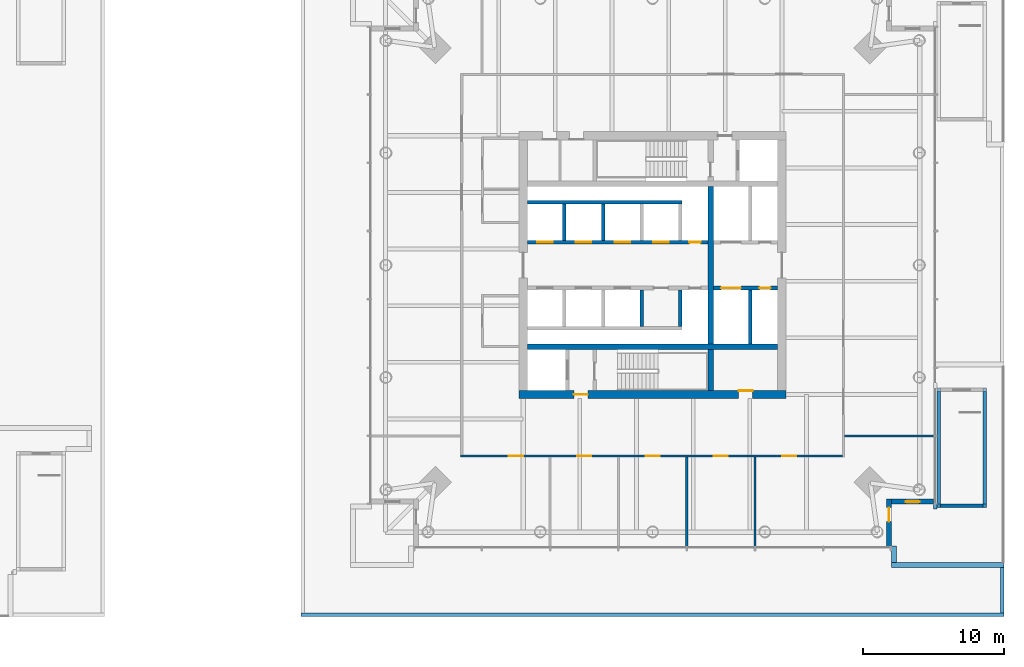
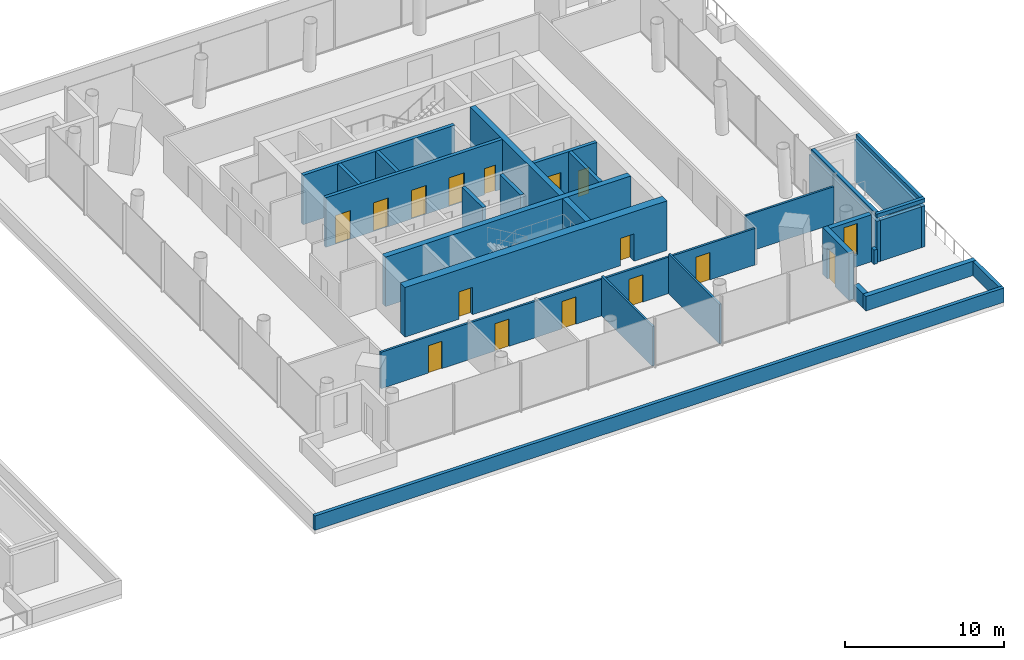
# One storey, part 14 of 19: 29 walls, 15 doors, 1 window, 16 openings.
"""IFC4 building model written with IfcOpenShell, lengths in metres."""

from ifc_helpers import new_model, si_unit, direction, frame, frame_2d, origin, place, context, subcontext, project, spatial, rectangle, extrude, material, layer, layer_set, type_object, element, fill, save


model = new_model("IFC4")

# Units and contexts
model_context = context("Model", 3, precision=1e-05, world=origin(), true_north=direction((0.0, 1.0)))
body_context = subcontext(model_context, "Body", "Model", "MODEL_VIEW")
ifc_project = project(units=[si_unit("LENGTHUNIT", "METRE"), si_unit("AREAUNIT", "SQUARE_METRE"), si_unit("VOLUMEUNIT", "CUBIC_METRE"), si_unit("PLANEANGLEUNIT", "RADIAN"), si_unit("MASSUNIT", "GRAM", prefix="KILO")], contexts=[model_context])

# Site, building, storey
site_placement = place(None, origin())
site = spatial("IfcSite", under=ifc_project, at=site_placement, CompositionType="ELEMENT")
building_placement = place(site_placement, origin())
building = spatial("IfcBuilding", under=site, at=building_placement, Name="Ostroluk Exchange", CompositionType="ELEMENT")
storey_placement = place(building_placement, frame((0.0, 0.0, 21.0)))
storey = spatial("IfcBuildingStorey", under=building, at=storey_placement, Name="L04", CompositionType="ELEMENT", Elevation=21.0)

# Walls
ifc_material_1 = material(Name="Concrete C50/60", Category="concrete")
ifc_layer_1 = layer(ifc_material_1, 0.39990234375)
ifc_layer_set_1 = layer_set([ifc_layer_1], Name="Core cross wall 400 C50/60")
wall_type_1 = type_object("IfcWallType", Name="Core cross wall 400 C50/60", PredefinedType="SHEAR", material=ifc_layer_set_1)
wall_1_placement = place(storey_placement, frame((108.10009765625, 40.199951171875, 0.0), z_axis=(0.0, 0.0, 1.0), x_axis=(1.0, 0.0, 0.0)))
element("IfcWall", 1, at=wall_1_placement, inside=storey, type_object=wall_type_1, Name="T2 core wall XS", PredefinedType="SHEAR", context=body_context, shape_type="SweptSolid", body=[
    extrude(rectangle(XDim=17.7998046875, YDim=0.39990234375, at=frame_2d((8.89990234375, 0.0))), origin(), (0.0, 0.0, 1.0), 3.800048828125),
])
wall_2_placement = place(storey_placement, frame((121.1298828125, 37.10009765625, 0.0), z_axis=(0.0, 0.0, 1.0), x_axis=(0.0, 1.0, 0.0)))
element("IfcWall", 2, at=wall_2_placement, inside=storey, type_object=wall_type_1, Name="T2 core wall YE1", PredefinedType="SHEAR", context=body_context, shape_type="SweptSolid", body=[
    extrude(rectangle(XDim=2.89990234375, YDim=0.39990234375, at=frame_2d((1.449951171875, 0.0))), origin(), (0.0, 0.0, 1.0), 3.800048828125),
])
wall_3_placement = place(storey_placement, frame((121.1298828125, 40.39990234375, 0.0), z_axis=(0.0, 0.0, 1.0), x_axis=(0.0, 1.0, 0.0)))
element("IfcWall", 3, at=wall_3_placement, inside=storey, type_object=wall_type_1, Name="T2 core wall YE2", PredefinedType="SHEAR", context=body_context, shape_type="SweptSolid", body=[
    extrude(rectangle(XDim=11.2001953125, YDim=0.39990234375, at=frame_2d((5.60009765625, 0.0))), origin(), (0.0, 0.0, 1.0), 3.800048828125),
])
ifc_material_2 = material(Name="Concrete C40/50", Category="concrete")
ifc_layer_2 = layer(ifc_material_2, 0.25)
ifc_layer_set_2 = layer_set([ifc_layer_2], Name="Core shaft wall 250")
wall_type_2 = type_object("IfcWallType", Name="Core shaft wall 250", PredefinedType="SHEAR", material=ifc_layer_set_2)
for number, where, z_axis, x_axis, name in (
    (4, (110.72509765625, 47.75, 0.0), (0.0, 0.0, 1.0), (0.0, 1.0, 0.0), "Lift shaft wall"),
    (5, (113.47509765625, 47.75, 0.0), (0.0, 0.0, 1.0), (0.0, 1.0, 0.0), "Lift shaft wall"),
):
    element("IfcWall", number, at=place(storey_placement, frame(where, z_axis=z_axis, x_axis=x_axis)), inside=storey, type_object=wall_type_2, Name=name, PredefinedType="SHEAR", context=body_context, shape_type="SweptSolid", body=[
        extrude(rectangle(XDim=2.60009765625, YDim=0.25, at=frame_2d((1.300048828125, 0.0))), origin(), (0.0, 0.0, 1.0), 3.800048828125),
    ])
wall_4_placement = place(storey_placement, frame((108.10009765625, 50.47509765625, 0.0), z_axis=(0.0, 0.0, 1.0), x_axis=(1.0, 0.0, 0.0)))
element("IfcWall", 6, at=wall_4_placement, inside=storey, type_object=wall_type_2, Name="Lift shaft wall", PredefinedType="SHEAR", context=body_context, shape_type="SweptSolid", body=[
    extrude(rectangle(XDim=11.0, YDim=0.25, at=frame_2d((5.5, 0.0))), origin(), (0.0, 0.0, 1.0), 3.800048828125),
])

# Wall, openings, doors
wall_5_placement = place(storey_placement, frame((108.10009765625, 47.625, 0.0), z_axis=(0.0, 0.0, 1.0), x_axis=(1.0, 0.0, 0.0)))
wall_5 = element("IfcWall", 7, at=wall_5_placement, inside=storey, type_object=wall_type_2, Name="Lift shaft front wall", PredefinedType="SHEAR", context=body_context, shape_type="SweptSolid", body=[
    extrude(rectangle(XDim=12.829833984375, YDim=0.25, at=frame_2d((6.4150390625, 0.0))), origin(), (0.0, 0.0, 1.0), 3.800048828125),
])
opening_1_placement = place(wall_5_placement, frame((0.699951171875, 0.0, 0.0)))
opening_1 = element("IfcOpeningElement", 8, at=opening_1_placement, cuts=wall_5, Name="Opening LD", PredefinedType="OPENING", context=body_context, shape_type="SweptSolid", body=[
    extrude(rectangle(XDim=1.10009765625, YDim=2.199951171875, at=frame_2d((0.550048828125, 1.10009765625))), frame((0.0, 0.135009765625, 0.0), z_axis=(0.0, -1.0, 0.0), x_axis=(1.0, 0.0, 0.0)), (0.0, 0.0, 1.0), 0.27001953125),
])
opening_2_placement = place(wall_5_placement, frame((3.449951171875, 0.0, 0.0)))
opening_2 = element("IfcOpeningElement", 9, at=opening_2_placement, cuts=wall_5, Name="Opening LD", PredefinedType="OPENING", context=body_context, shape_type="SweptSolid", body=[
    extrude(rectangle(XDim=1.10009765625, YDim=2.199951171875, at=frame_2d((0.550048828125, 1.10009765625))), frame((0.0, 0.135009765625, 0.0), z_axis=(0.0, -1.0, 0.0), x_axis=(1.0, 0.0, 0.0)), (0.0, 0.0, 1.0), 0.27001953125),
])
opening_3_placement = place(wall_5_placement, frame((6.199951171875, 0.0, 0.0)))
opening_3 = element("IfcOpeningElement", 10, at=opening_3_placement, cuts=wall_5, Name="Opening LD", PredefinedType="OPENING", context=body_context, shape_type="SweptSolid", body=[
    extrude(rectangle(XDim=1.10009765625, YDim=2.199951171875, at=frame_2d((0.550048828125, 1.10009765625))), frame((0.0, 0.135009765625, 0.0), z_axis=(0.0, -1.0, 0.0), x_axis=(1.0, 0.0, 0.0)), (0.0, 0.0, 1.0), 0.27001953125),
])
opening_4_placement = place(wall_5_placement, frame((8.949951171875, 0.0, 0.0)))
opening_4 = element("IfcOpeningElement", 11, at=opening_4_placement, cuts=wall_5, Name="Opening LD", PredefinedType="OPENING", context=body_context, shape_type="SweptSolid", body=[
    extrude(rectangle(XDim=1.10009765625, YDim=2.199951171875, at=frame_2d((0.550048828125, 1.10009765625))), frame((0.0, 0.135009765625, 0.0), z_axis=(0.0, -1.0, 0.0), x_axis=(1.0, 0.0, 0.0)), (0.0, 0.0, 1.0), 0.27001953125),
])
opening_5_placement = place(wall_5_placement, frame((11.514892578125, 0.0, 0.0)))
opening_5 = element("IfcOpeningElement", 12, at=opening_5_placement, cuts=wall_5, Name="Opening RD60", PredefinedType="OPENING", context=body_context, shape_type="SweptSolid", body=[
    extrude(rectangle(XDim=0.800048828125, YDim=2.0, at=frame_2d((0.39990234375, 1.0))), frame((0.0, 0.135009765625, 0.0), z_axis=(0.0, -1.0, 0.0), x_axis=(1.0, 0.0, 0.0)), (0.0, 0.0, 1.0), 0.27001953125),
])
ifc_material_3 = material(Name="Stainless steel", Category="steel")
door_type_1 = type_object("IfcDoorType", Name="Lift landing door E 60 1100 x 2200", OperationType="DOUBLE_DOOR_SLIDING", PredefinedType="DOOR", material=ifc_material_3)
door_1_placement = place(opening_1_placement, origin())
door_1 = element("IfcDoor", 13, at=door_1_placement, inside=storey, type_object=door_type_1, Name="Lift HL1 landing door", OperationType="DOUBLE_DOOR_SLIDING", OverallHeight=2.199951171875, OverallWidth=1.10009765625, PredefinedType="DOOR", context=body_context, shape_type="SweptSolid", body=[
    extrude(rectangle(XDim=1.10009765625, YDim=2.199951171875, at=frame_2d((0.550048828125, 1.10009765625))), frame((0.0, 0.02490234375, 0.0), z_axis=(0.0, -1.0, 0.0), x_axis=(1.0, 0.0, 0.0)), (0.0, 0.0, 1.0), 0.050048828125),
])
fill(opening_1, door_1)
door_2_placement = place(opening_2_placement, origin())
door_2 = element("IfcDoor", 14, at=door_2_placement, inside=storey, type_object=door_type_1, Name="Lift HL2 landing door", OperationType="DOUBLE_DOOR_SLIDING", OverallHeight=2.199951171875, OverallWidth=1.10009765625, PredefinedType="DOOR", context=body_context, shape_type="SweptSolid", body=[
    extrude(rectangle(XDim=1.10009765625, YDim=2.199951171875, at=frame_2d((0.550048828125, 1.10009765625))), frame((0.0, 0.02490234375, 0.0), z_axis=(0.0, -1.0, 0.0), x_axis=(1.0, 0.0, 0.0)), (0.0, 0.0, 1.0), 0.050048828125),
])
fill(opening_2, door_2)
door_3_placement = place(opening_3_placement, origin())
door_3 = element("IfcDoor", 15, at=door_3_placement, inside=storey, type_object=door_type_1, Name="Lift HL3 landing door", OperationType="DOUBLE_DOOR_SLIDING", OverallHeight=2.199951171875, OverallWidth=1.10009765625, PredefinedType="DOOR", context=body_context, shape_type="SweptSolid", body=[
    extrude(rectangle(XDim=1.10009765625, YDim=2.199951171875, at=frame_2d((0.550048828125, 1.10009765625))), frame((0.0, 0.02490234375, 0.0), z_axis=(0.0, -1.0, 0.0), x_axis=(1.0, 0.0, 0.0)), (0.0, 0.0, 1.0), 0.050048828125),
])
fill(opening_3, door_3)
door_4_placement = place(opening_4_placement, origin())
door_4 = element("IfcDoor", 16, at=door_4_placement, inside=storey, type_object=door_type_1, Name="Lift HL4 landing door", OperationType="DOUBLE_DOOR_SLIDING", OverallHeight=2.199951171875, OverallWidth=1.10009765625, PredefinedType="DOOR", context=body_context, shape_type="SweptSolid", body=[
    extrude(rectangle(XDim=1.10009765625, YDim=2.199951171875, at=frame_2d((0.550048828125, 1.10009765625))), frame((0.0, 0.02490234375, 0.0), z_axis=(0.0, -1.0, 0.0), x_axis=(1.0, 0.0, 0.0)), (0.0, 0.0, 1.0), 0.050048828125),
])
fill(opening_4, door_4)
ifc_material_4 = material(Name="Steel", Category="steel")
door_type_2 = type_object("IfcDoorType", Name="Riser access door EI 60 800 x 2000", OperationType="SINGLE_SWING_LEFT", PredefinedType="DOOR", material=ifc_material_4)
door_5_placement = place(opening_5_placement, origin())
door_5 = element("IfcDoor", 17, at=door_5_placement, inside=storey, type_object=door_type_2, Name="Riser access door", OperationType="SINGLE_SWING_RIGHT", OverallHeight=2.0, OverallWidth=0.800048828125, PredefinedType="DOOR", context=body_context, shape_type="SweptSolid", body=[
    extrude(rectangle(XDim=0.800048828125, YDim=2.0, at=frame_2d((0.39990234375, 1.0))), frame((0.0, 0.02490234375, 0.0), z_axis=(0.0, -1.0, 0.0), x_axis=(1.0, 0.0, 0.0)), (0.0, 0.0, 1.0), 0.050048828125),
])
fill(opening_5, door_5)

# Walls
for number, where, z_axis, x_axis, name in (
    (18, (116.22509765625, 44.25, 0.0), (0.0, 0.0, 1.0), (0.0, -1.0, 0.0), "Lift shaft wall"),
    (19, (118.97509765625, 44.25, 0.0), (0.0, 0.0, 1.0), (0.0, -1.0, 0.0), "Lift shaft wall"),
):
    element("IfcWall", number, at=place(storey_placement, frame(where, z_axis=z_axis, x_axis=x_axis)), inside=storey, type_object=wall_type_2, Name=name, PredefinedType="SHEAR", context=body_context, shape_type="SweptSolid", body=[
        extrude(rectangle(XDim=2.60009765625, YDim=0.25, at=frame_2d((1.300048828125, 0.0))), origin(), (0.0, 0.0, 1.0), 3.800048828125),
    ])
wall_6_placement = place(storey_placement, frame((123.955078125, 44.25, 0.0), z_axis=(0.0, 0.0, 1.0), x_axis=(0.0, -1.0, 0.0)))
element("IfcWall", 20, at=wall_6_placement, inside=storey, type_object=wall_type_2, Name="Lift shaft wall", PredefinedType="SHEAR", context=body_context, shape_type="SweptSolid", body=[
    extrude(rectangle(XDim=3.85009765625, YDim=0.25, at=frame_2d((1.925048828125, 0.0))), origin(), (0.0, 0.0, 1.0), 3.800048828125),
])

# Wall, openings, doors
wall_7_placement = place(storey_placement, frame((121.330078125, 44.375, 0.0), z_axis=(0.0, 0.0, 1.0), x_axis=(1.0, 0.0, 0.0)))
wall_7 = element("IfcWall", 21, at=wall_7_placement, inside=storey, type_object=wall_type_2, Name="Lift shaft front wall", PredefinedType="SHEAR", context=body_context, shape_type="SweptSolid", body=[
    extrude(rectangle(XDim=4.56982421875, YDim=0.25, at=frame_2d((2.284912109375, 0.0))), origin(), (0.0, 0.0, 1.0), 3.800048828125),
])
opening_6_placement = place(wall_7_placement, frame((0.550048828125, 0.0, 0.0)))
opening_6 = element("IfcOpeningElement", 22, at=opening_6_placement, cuts=wall_7, Name="Opening LD3", PredefinedType="OPENING", context=body_context, shape_type="SweptSolid", body=[
    extrude(rectangle(XDim=1.39990234375, YDim=2.39990234375, at=frame_2d((0.699951171875, 1.199951171875))), frame((0.0, 0.135009765625, 0.0), z_axis=(0.0, -1.0, 0.0), x_axis=(1.0, 0.0, 0.0)), (0.0, 0.0, 1.0), 0.27001953125),
])
opening_7_placement = place(wall_7_placement, frame((3.260009765625, 0.0, 0.0)))
opening_7 = element("IfcOpeningElement", 23, at=opening_7_placement, cuts=wall_7, Name="Opening RD60", PredefinedType="OPENING", context=body_context, shape_type="SweptSolid", body=[
    extrude(rectangle(XDim=0.800048828125, YDim=2.0, at=frame_2d((0.39990234375, 1.0))), frame((0.0, 0.135009765625, 0.0), z_axis=(0.0, -1.0, 0.0), x_axis=(1.0, 0.0, 0.0)), (0.0, 0.0, 1.0), 0.27001953125),
])
ifc_material_5 = material(Name="Stainless steel", Category="steel")
door_type_3 = type_object("IfcDoorType", Name="Goods lift landing door E 60 1400 x 2400", OperationType="DOUBLE_DOOR_SLIDING", PredefinedType="DOOR", material=ifc_material_5)
door_6_placement = place(opening_6_placement, origin())
door_6 = element("IfcDoor", 24, at=door_6_placement, inside=storey, type_object=door_type_3, Name="Lift HS2 landing door", OperationType="DOUBLE_DOOR_SLIDING", OverallHeight=2.39990234375, OverallWidth=1.39990234375, PredefinedType="DOOR", context=body_context, shape_type="SweptSolid", body=[
    extrude(rectangle(XDim=1.39990234375, YDim=2.39990234375, at=frame_2d((0.699951171875, 1.199951171875))), frame((0.0, 0.02490234375, 0.0), z_axis=(0.0, -1.0, 0.0), x_axis=(1.0, 0.0, 0.0)), (0.0, 0.0, 1.0), 0.050048828125),
])
fill(opening_6, door_6)
door_7_placement = place(opening_7_placement, origin())
door_7 = element("IfcDoor", 25, at=door_7_placement, inside=storey, type_object=door_type_2, Name="Riser access door", OperationType="SINGLE_SWING_RIGHT", OverallHeight=2.0, OverallWidth=0.800048828125, PredefinedType="DOOR", context=body_context, shape_type="SweptSolid", body=[
    extrude(rectangle(XDim=0.800048828125, YDim=2.0, at=frame_2d((0.39990234375, 1.0))), frame((0.0, 0.02490234375, 0.0), z_axis=(0.0, -1.0, 0.0), x_axis=(1.0, 0.0, 0.0)), (0.0, 0.0, 1.0), 0.050048828125),
])
fill(opening_7, door_7)

ifc_material_6 = material(Name="Concrete C50/60", Category="concrete")
ifc_layer_3 = layer(ifc_material_6, 0.60009765625)
ifc_layer_set_3 = layer_set([ifc_layer_3], Name="Core wall 600 C50/60")
wall_type_3 = type_object("IfcWallType", Name="Core wall 600 C50/60", PredefinedType="SHEAR", material=ifc_layer_set_3)
wall_8_placement = place(storey_placement, frame((107.5, 36.800048828125, 0.0), z_axis=(0.0, 0.0, 1.0), x_axis=(1.0, 0.0, 0.0)))
wall_8 = element("IfcWall", 26, at=wall_8_placement, inside=storey, type_object=wall_type_3, Name="T2 core wall S", PredefinedType="SHEAR", context=body_context, shape_type="SweptSolid", body=[
    extrude(rectangle(XDim=19.0, YDim=0.60009765625, at=frame_2d((9.5, 0.0))), origin(), (0.0, 0.0, 1.0), 3.800048828125),
])
opening_8_placement = place(wall_8_placement, frame((3.89990234375, 0.0, 0.0)))
opening_8 = element("IfcOpeningElement", 27, at=opening_8_placement, cuts=wall_8, Name="Opening FD60", PredefinedType="OPENING", context=body_context, shape_type="SweptSolid", body=[
    extrude(rectangle(XDim=1.0, YDim=2.10009765625, at=frame_2d((0.5, 1.050048828125))), frame((0.0, 0.31005859375, 0.0), z_axis=(0.0, -1.0, 0.0), x_axis=(1.0, 0.0, 0.0)), (0.0, 0.0, 1.0), 0.6201171875),
])
opening_9_placement = place(wall_8_placement, frame((15.614990234375, 0.0, 0.0)))
opening_9 = element("IfcOpeningElement", 28, at=opening_9_placement, cuts=wall_8, Name="Opening FD60", PredefinedType="OPENING", context=body_context, shape_type="SweptSolid", body=[
    extrude(rectangle(XDim=1.0, YDim=2.10009765625, at=frame_2d((0.5, 1.050048828125))), frame((0.0, 0.31005859375, 0.0), z_axis=(0.0, -1.0, 0.0), x_axis=(1.0, 0.0, 0.0)), (0.0, 0.0, 1.0), 0.6201171875),
])
ifc_material_7 = material(Name="Steel", Category="steel")
door_type_4 = type_object("IfcDoorType", Name="Fire door EI 60 1000 x 2100", OperationType="SINGLE_SWING_LEFT", PredefinedType="DOOR", material=ifc_material_7)
door_8_placement = place(opening_8_placement, origin())
door_8 = element("IfcDoor", 29, at=door_8_placement, inside=storey, type_object=door_type_4, Name="Firefighting lobby door", OperationType="SINGLE_SWING_LEFT", OverallHeight=2.10009765625, OverallWidth=1.0, PredefinedType="DOOR", context=body_context, shape_type="SweptSolid", body=[
    extrude(rectangle(XDim=1.0, YDim=2.10009765625, at=frame_2d((0.5, 1.050048828125))), frame((0.0, 0.02490234375, 0.0), z_axis=(0.0, -1.0, 0.0), x_axis=(1.0, 0.0, 0.0)), (0.0, 0.0, 1.0), 0.050048828125),
])
fill(opening_8, door_8)
door_9_placement = place(opening_9_placement, origin())
door_9 = element("IfcDoor", 30, at=door_9_placement, inside=storey, type_object=door_type_4, Name="Guest pantry door", OperationType="SINGLE_SWING_RIGHT", OverallHeight=2.10009765625, OverallWidth=1.0, PredefinedType="DOOR", context=body_context, shape_type="SweptSolid", body=[
    extrude(rectangle(XDim=1.0, YDim=2.10009765625, at=frame_2d((0.5, 1.050048828125))), frame((0.0, 0.2900390625, 0.0), z_axis=(0.0, -1.0, 0.0), x_axis=(1.0, 0.0, 0.0)), (0.0, 0.0, 1.0), 0.050048828125),
])
fill(opening_9, door_9)

# Walls
ifc_material_8 = material(Name="Limestone", Category="masonry")
ifc_layer_4 = layer(ifc_material_8, 0.25)
ifc_layer_set_4 = layer_set([ifc_layer_4], Name="Green roof parapet 250")
wall_type_4 = type_object("IfcWallType", Name="Green roof parapet 250", PredefinedType="PARAPET", material=ifc_layer_set_4)
wall_9_placement = place(storey_placement, frame((92.0, 21.125, 0.0), z_axis=(0.0, 0.0, 1.0), x_axis=(1.0, 0.0, 0.0)))
element("IfcWall", 31, at=wall_9_placement, inside=storey, type_object=wall_type_4, Name="Green roof parapet L04 1", PredefinedType="PARAPET", context=body_context, shape_type="SweptSolid", body=[
    extrude(rectangle(XDim=50.0, YDim=0.25, at=frame_2d((25.0, 0.0))), origin(), (0.0, 0.0, 1.0), 1.10009765625),
])
wall_10_placement = place(storey_placement, frame((141.875, 21.25, 0.0), z_axis=(0.0, 0.0, 1.0), x_axis=(0.0, 1.0, 0.0)))
element("IfcWall", 32, at=wall_10_placement, inside=storey, type_object=wall_type_4, Name="Green roof parapet L04 4", PredefinedType="PARAPET", context=body_context, shape_type="SweptSolid", body=[
    extrude(rectangle(XDim=3.239990234375, YDim=0.25, at=frame_2d((1.6201171875, 0.0))), origin(), (0.0, 0.0, 1.0), 1.10009765625),
])

# Wall, opening, door
ifc_material_9 = material(Name="Limestone", Category="masonry")
ifc_layer_5 = layer(ifc_material_9, 0.35009765625)
ifc_layer_set_5 = layer_set([ifc_layer_5], Name="Limestone facade wall 350")
wall_type_5 = type_object("IfcWallType", Name="Limestone facade wall 350", PredefinedType="SOLIDWALL", material=ifc_layer_set_5)
wall_11_placement = place(storey_placement, frame((133.824951171875, 26.0, 0.0), z_axis=(0.0, 0.0, 1.0), x_axis=(0.0, 1.0, 0.0)))
wall_11 = element("IfcWall", 33, at=wall_11_placement, inside=storey, type_object=wall_type_5, Name="Hotel tower SE corner wall L04 a", PredefinedType="SOLIDWALL", context=body_context, shape_type="SweptSolid", body=[
    extrude(rectangle(XDim=3.35009765625, YDim=0.35009765625, at=frame_2d((1.675048828125, 0.0))), origin(), (0.0, 0.0, 1.0), 3.60009765625),
])
opening_10_placement = place(wall_11_placement, frame((1.75, 0.0, 0.0)))
opening_10 = element("IfcOpeningElement", 34, at=opening_10_placement, cuts=wall_11, Name="Opening D-B1", PredefinedType="OPENING", context=body_context, shape_type="SweptSolid", body=[
    extrude(rectangle(XDim=1.0, YDim=2.39990234375, at=frame_2d((0.5, 1.199951171875))), frame((0.0, 0.18505859375, 0.0), z_axis=(0.0, -1.0, 0.0), x_axis=(1.0, 0.0, 0.0)), (0.0, 0.0, 1.0), 0.3701171875),
])
ifc_material_10 = material(Name="Bronze framed glazed door", Category="aluminium")
door_type_5 = type_object("IfcDoorType", Name="Balcony door 1000 x 2400", OperationType="SINGLE_SWING_LEFT", PredefinedType="DOOR", material=ifc_material_10)
door_10_placement = place(opening_10_placement, origin())
door_10 = element("IfcDoor", 35, at=door_10_placement, inside=storey, type_object=door_type_5, Name="Hotel tower SE balcony door L04", OperationType="SINGLE_SWING_RIGHT", OverallHeight=2.39990234375, OverallWidth=1.0, PredefinedType="DOOR", context=body_context, shape_type="SweptSolid", body=[
    extrude(rectangle(XDim=1.0, YDim=2.39990234375, at=frame_2d((0.5, 1.199951171875))), frame((0.0, 0.02490234375, 0.0), z_axis=(0.0, -1.0, 0.0), x_axis=(1.0, 0.0, 0.0)), (0.0, 0.0, 1.0), 0.050048828125),
])
fill(opening_10, door_10)

# Wall, opening, window
wall_12_placement = place(storey_placement, frame((134.0, 29.175048828125, 0.0), z_axis=(0.0, 0.0, 1.0), x_axis=(1.0, 0.0, 0.0)))
wall_12 = element("IfcWall", 36, at=wall_12_placement, inside=storey, type_object=wall_type_5, Name="Hotel tower SE corner wall L04 b", PredefinedType="SOLIDWALL", context=body_context, shape_type="SweptSolid", body=[
    extrude(rectangle(XDim=3.0, YDim=0.35009765625, at=frame_2d((1.5, 0.0))), origin(), (0.0, 0.0, 1.0), 3.60009765625),
])
opening_11_placement = place(wall_12_placement, frame((1.0, 0.0, 0.89990234375)))
opening_11 = element("IfcOpeningElement", 37, at=opening_11_placement, cuts=wall_12, Name="Opening WN-L3", PredefinedType="OPENING", context=body_context, shape_type="SweptSolid", body=[
    extrude(rectangle(XDim=1.0, YDim=2.39990234375, at=frame_2d((0.5, 1.199951171875))), frame((0.0, 0.18505859375, 0.0), z_axis=(0.0, -1.0, 0.0), x_axis=(1.0, 0.0, 0.0)), (0.0, 0.0, 1.0), 0.3701171875),
])
ifc_material_11 = material(Name="Laminated clear glass", Category="glass")
window_type = type_object("IfcWindowType", Name="Hotel lancet window 1000 x 2400", PartitioningType="SINGLE_PANEL", PredefinedType="WINDOW", material=ifc_material_11)
window_placement = place(opening_11_placement, origin())
window = element("IfcWindow", 38, at=window_placement, inside=storey, type_object=window_type, Name="Hotel tower SE lancet window L04", OverallHeight=2.39990234375, OverallWidth=1.0, PartitioningType="SINGLE_PANEL", PredefinedType="WINDOW", context=body_context, shape_type="SweptSolid", body=[
    extrude(rectangle(XDim=1.0, YDim=2.39990234375, at=frame_2d((0.5, 1.199951171875))), frame((0.0, 0.030029296875, 0.0), z_axis=(0.0, -1.0, 0.0), x_axis=(1.0, 0.0, 0.0)), (0.0, 0.0, 1.0), 0.06005859375),
])
fill(opening_11, window)

# Walls
ifc_material_12 = material(Name="Limestone", Category="masonry")
ifc_layer_6 = layer(ifc_material_12, 0.35009765625)
ifc_layer_set_6 = layer_set([ifc_layer_6], Name="Planter wall 350")
wall_type_6 = type_object("IfcWallType", Name="Planter wall 350", PredefinedType="PARAPET", material=ifc_layer_set_6)
wall_13_placement = place(storey_placement, frame((134.0, 24.675048828125, 0.0), z_axis=(0.0, 0.0, 1.0), x_axis=(1.0, 0.0, 0.0)))
element("IfcWall", 39, at=wall_13_placement, inside=storey, type_object=wall_type_6, Name="Terrace planter wall L04 1", PredefinedType="PARAPET", context=body_context, shape_type="SweptSolid", body=[
    extrude(rectangle(XDim=8.0, YDim=0.35009765625, at=frame_2d((4.0, 0.0))), origin(), (0.0, 0.0, 1.0), 1.10009765625),
])
wall_14_placement = place(storey_placement, frame((134.175048828125, 24.85009765625, 0.0), z_axis=(0.0, 0.0, 1.0), x_axis=(0.0, 1.0, 0.0)))
element("IfcWall", 40, at=wall_14_placement, inside=storey, type_object=wall_type_6, Name="Terrace planter wall L04 2", PredefinedType="PARAPET", context=body_context, shape_type="SweptSolid", body=[
    extrude(rectangle(XDim=1.159912109375, YDim=0.35009765625, at=frame_2d((0.580078125, 0.0))), origin(), (0.0, 0.0, 1.0), 1.10009765625),
])
wall_15_placement = place(storey_placement, frame((137.114990234375, 28.64990234375, 0.0), z_axis=(0.0, 0.0, 1.0), x_axis=(0.0, 1.0, 0.0)))
element("IfcWall", 41, at=wall_15_placement, inside=storey, type_object=wall_type_6, Name="Terrace planter wall L04 3", PredefinedType="PARAPET", context=body_context, shape_type="SweptSolid", body=[
    extrude(rectangle(XDim=0.35009765625, YDim=0.25, at=frame_2d((0.175048828125, 0.0))), origin(), (0.0, 0.0, 1.0), 1.10009765625),
])
ifc_material_13 = material(Name="Gypsum plasterboard partition", Category="gypsum")
ifc_layer_7 = layer(ifc_material_13, 0.14990234375)
ifc_layer_set_7 = layer_set([ifc_layer_7], Name="Plasterboard partition 150")
wall_type_7 = type_object("IfcWallType", Name="Plasterboard partition 150", PredefinedType="PARTITIONING", material=ifc_layer_set_7)
wall_16_placement = place(storey_placement, frame((130.64990234375, 33.857177734375, 0.0), z_axis=(0.0, 0.0, 1.0), x_axis=(1.0, 0.0, 0.0)))
element("IfcWall", 42, at=wall_16_placement, inside=storey, type_object=wall_type_7, Name="Partition", PredefinedType="PARTITIONING", context=body_context, shape_type="SweptSolid", body=[
    extrude(rectangle(XDim=6.39013671875, YDim=0.14990234375, at=frame_2d((3.195068359375, 0.0))), origin(), (0.0, 0.0, 1.0), 2.846923828125),
])

# Wall, openings, doors
wall_17_placement = place(storey_placement, frame((103.35009765625, 32.425048828125, 0.0), z_axis=(0.0, 0.0, 1.0), x_axis=(1.0, 0.0, 0.0)))
wall_17 = element("IfcWall", 43, at=wall_17_placement, inside=storey, type_object=wall_type_7, Name="Partition", PredefinedType="PARTITIONING", context=body_context, shape_type="SweptSolid", body=[
    extrude(rectangle(XDim=27.14990234375, YDim=0.14990234375, at=frame_2d((13.574951171875, 0.0))), origin(), (0.0, 0.0, 1.0), 2.800048828125),
])
opening_12_placement = place(wall_17_placement, frame((3.435791015625, 0.0, 0.0)))
opening_12 = element("IfcOpeningElement", 44, at=opening_12_placement, cuts=wall_17, Name="Opening D-03", PredefinedType="OPENING", context=body_context, shape_type="SweptSolid", body=[
    extrude(rectangle(XDim=1.0, YDim=2.10009765625, at=frame_2d((0.5, 1.050048828125))), frame((0.0, 0.0849609375, 0.0), z_axis=(0.0, -1.0, 0.0), x_axis=(1.0, 0.0, 0.0)), (0.0, 0.0, 1.0), 0.169921875),
])
opening_13_placement = place(wall_17_placement, frame((8.29296875, 0.0, 0.0)))
opening_13 = element("IfcOpeningElement", 45, at=opening_13_placement, cuts=wall_17, Name="Opening D-03", PredefinedType="OPENING", context=body_context, shape_type="SweptSolid", body=[
    extrude(rectangle(XDim=1.0, YDim=2.10009765625, at=frame_2d((0.5, 1.050048828125))), frame((0.0, 0.0849609375, 0.0), z_axis=(0.0, -1.0, 0.0), x_axis=(1.0, 0.0, 0.0)), (0.0, 0.0, 1.0), 0.169921875),
])
opening_14_placement = place(wall_17_placement, frame((13.14990234375, 0.0, 0.0)))
opening_14 = element("IfcOpeningElement", 46, at=opening_14_placement, cuts=wall_17, Name="Opening D-03", PredefinedType="OPENING", context=body_context, shape_type="SweptSolid", body=[
    extrude(rectangle(XDim=1.0, YDim=2.10009765625, at=frame_2d((0.5, 1.050048828125))), frame((0.0, 0.0849609375, 0.0), z_axis=(0.0, -1.0, 0.0), x_axis=(1.0, 0.0, 0.0)), (0.0, 0.0, 1.0), 0.169921875),
])
opening_15_placement = place(wall_17_placement, frame((18.007080078125, 0.0, 0.0)))
opening_15 = element("IfcOpeningElement", 47, at=opening_15_placement, cuts=wall_17, Name="Opening D-03", PredefinedType="OPENING", context=body_context, shape_type="SweptSolid", body=[
    extrude(rectangle(XDim=1.0, YDim=2.10009765625, at=frame_2d((0.5, 1.050048828125))), frame((0.0, 0.0849609375, 0.0), z_axis=(0.0, -1.0, 0.0), x_axis=(1.0, 0.0, 0.0)), (0.0, 0.0, 1.0), 0.169921875),
])
opening_16_placement = place(wall_17_placement, frame((22.8642578125, 0.0, 0.0)))
opening_16 = element("IfcOpeningElement", 48, at=opening_16_placement, cuts=wall_17, Name="Opening D-03", PredefinedType="OPENING", context=body_context, shape_type="SweptSolid", body=[
    extrude(rectangle(XDim=1.0, YDim=2.10009765625, at=frame_2d((0.5, 1.050048828125))), frame((0.0, 0.0849609375, 0.0), z_axis=(0.0, -1.0, 0.0), x_axis=(1.0, 0.0, 0.0)), (0.0, 0.0, 1.0), 0.169921875),
])
ifc_material_14 = material(Name="Timber", Category="wood")
door_type_6 = type_object("IfcDoorType", Name="Internal door 1000 x 2100", OperationType="SINGLE_SWING_LEFT", PredefinedType="DOOR", material=ifc_material_14)
door_11_placement = place(opening_12_placement, origin())
door_11 = element("IfcDoor", 49, at=door_11_placement, inside=storey, type_object=door_type_6, Name="Meeting room door", OperationType="SINGLE_SWING_LEFT", OverallHeight=2.10009765625, OverallWidth=1.0, PredefinedType="DOOR", context=body_context, shape_type="SweptSolid", body=[
    extrude(rectangle(XDim=1.0, YDim=2.10009765625, at=frame_2d((0.5, 1.050048828125))), frame((0.0, 0.02490234375, 0.0), z_axis=(0.0, -1.0, 0.0), x_axis=(1.0, 0.0, 0.0)), (0.0, 0.0, 1.0), 0.050048828125),
])
fill(opening_12, door_11)
door_12_placement = place(opening_13_placement, origin())
door_12 = element("IfcDoor", 50, at=door_12_placement, inside=storey, type_object=door_type_6, Name="Meeting room door", OperationType="SINGLE_SWING_LEFT", OverallHeight=2.10009765625, OverallWidth=1.0, PredefinedType="DOOR", context=body_context, shape_type="SweptSolid", body=[
    extrude(rectangle(XDim=1.0, YDim=2.10009765625, at=frame_2d((0.5, 1.050048828125))), frame((0.0, 0.02490234375, 0.0), z_axis=(0.0, -1.0, 0.0), x_axis=(1.0, 0.0, 0.0)), (0.0, 0.0, 1.0), 0.050048828125),
])
fill(opening_13, door_12)
door_13_placement = place(opening_14_placement, origin())
door_13 = element("IfcDoor", 51, at=door_13_placement, inside=storey, type_object=door_type_6, Name="Meeting room door", OperationType="SINGLE_SWING_RIGHT", OverallHeight=2.10009765625, OverallWidth=1.0, PredefinedType="DOOR", context=body_context, shape_type="SweptSolid", body=[
    extrude(rectangle(XDim=1.0, YDim=2.10009765625, at=frame_2d((0.5, 1.050048828125))), frame((0.0, 0.02490234375, 0.0), z_axis=(0.0, -1.0, 0.0), x_axis=(1.0, 0.0, 0.0)), (0.0, 0.0, 1.0), 0.050048828125),
])
fill(opening_14, door_13)
door_14_placement = place(opening_15_placement, origin())
door_14 = element("IfcDoor", 52, at=door_14_placement, inside=storey, type_object=door_type_6, Name="Meeting room door", OperationType="SINGLE_SWING_RIGHT", OverallHeight=2.10009765625, OverallWidth=1.0, PredefinedType="DOOR", context=body_context, shape_type="SweptSolid", body=[
    extrude(rectangle(XDim=1.0, YDim=2.10009765625, at=frame_2d((0.5, 1.050048828125))), frame((0.0, 0.02490234375, 0.0), z_axis=(0.0, -1.0, 0.0), x_axis=(1.0, 0.0, 0.0)), (0.0, 0.0, 1.0), 0.050048828125),
])
fill(opening_15, door_14)
door_15_placement = place(opening_16_placement, origin())
door_15 = element("IfcDoor", 53, at=door_15_placement, inside=storey, type_object=door_type_6, Name="Meeting room door", OperationType="SINGLE_SWING_RIGHT", OverallHeight=2.10009765625, OverallWidth=1.0, PredefinedType="DOOR", context=body_context, shape_type="SweptSolid", body=[
    extrude(rectangle(XDim=1.0, YDim=2.10009765625, at=frame_2d((0.5, 1.050048828125))), frame((0.0, 0.02490234375, 0.0), z_axis=(0.0, -1.0, 0.0), x_axis=(1.0, 0.0, 0.0)), (0.0, 0.0, 1.0), 0.050048828125),
])
fill(opening_16, door_15)

# Walls
for number, where, z_axis, x_axis, name in (
    (54, (119.428466796875, 32.35009765625, 0.0), (0.0, 0.0, 1.0), (0.0, -1.0, 0.0), "Partition"),
    (55, (124.28564453125, 32.35009765625, 0.0), (0.0, 0.0, 1.0), (0.0, -1.0, 0.0), "Partition"),
):
    element("IfcWall", number, at=place(storey_placement, frame(where, z_axis=z_axis, x_axis=x_axis)), inside=storey, type_object=wall_type_7, Name=name, PredefinedType="PARTITIONING", context=body_context, shape_type="SweptSolid", body=[
        extrude(rectangle(XDim=6.39013671875, YDim=0.14990234375, at=frame_2d((3.195068359375, 0.0))), origin(), (0.0, 0.0, 1.0), 3.050048828125),
    ])
ifc_material_15 = material(Name="Concrete C30/37", Category="concrete")
ifc_layer_8 = layer(ifc_material_15, 0.25)
ifc_layer_set_8 = layer_set([ifc_layer_8], Name="Stair head-house roof upstand 250 EI 120")
wall_type_8 = type_object("IfcWallType", Name="Stair head-house roof upstand 250 EI 120", PredefinedType="PARAPET", material=ifc_layer_set_8)
wall_18_placement = place(storey_placement, frame((137.25, 28.875, 3.39990234375), z_axis=(0.0, 0.0, 1.0), x_axis=(1.0, 0.0, 0.0)))
element("IfcWall", 56, at=wall_18_placement, inside=storey, type_object=wall_type_8, Name="Stair PS7 head-house roof upstand 1", PredefinedType="PARAPET", context=body_context, shape_type="SweptSolid", body=[
    extrude(rectangle(XDim=3.5, YDim=0.25, at=frame_2d((1.75, 0.0))), origin(), (0.0, 0.0, 1.0), 0.300048828125),
])
for number, where, z_axis, x_axis, name in (
    (57, (137.375, 29.0, 3.39990234375), (0.0, 0.0, 1.0), (0.0, 1.0, 0.0), "Stair PS7 head-house roof upstand 2"),
    (58, (140.625, 29.0, 3.39990234375), (0.0, 0.0, 1.0), (0.0, 1.0, 0.0), "Stair PS7 head-house roof upstand 4"),
):
    element("IfcWall", number, at=place(storey_placement, frame(where, z_axis=z_axis, x_axis=x_axis)), inside=storey, type_object=wall_type_8, Name=name, PredefinedType="PARAPET", context=body_context, shape_type="SweptSolid", body=[
        extrude(rectangle(XDim=8.0, YDim=0.25, at=frame_2d((4.0, 0.0))), origin(), (0.0, 0.0, 1.0), 0.300048828125),
    ])
ifc_material_16 = material(Name="Concrete blockwork, load-bearing", Category="masonry")
ifc_layer_9 = layer(ifc_material_16, 0.25)
ifc_layer_set_9 = layer_set([ifc_layer_9], Name="Stair head-house wall, load-bearing blockwork 250, EI 120")
wall_type_9 = type_object("IfcWallType", Name="Stair head-house wall, load-bearing blockwork 250, EI 120", PredefinedType="SOLIDWALL", material=ifc_layer_set_9)
for number, where, z_axis, x_axis, name in (
    (59, (137.375, 28.75, 0.0), (0.0, 0.0, 1.0), (0.0, 1.0, 0.0), "Stair PS7 enclosure wall"),
    (60, (140.625, 28.75, 0.0), (0.0, 0.0, 1.0), (0.0, 1.0, 0.0), "Stair PS7 enclosure wall"),
):
    element("IfcWall", number, at=place(storey_placement, frame(where, z_axis=z_axis, x_axis=x_axis)), inside=storey, type_object=wall_type_9, Name=name, PredefinedType="SOLIDWALL", context=body_context, shape_type="SweptSolid", body=[
        extrude(rectangle(XDim=8.5, YDim=0.25, at=frame_2d((4.25, 0.0))), origin(), (0.0, 0.0, 1.0), 3.14990234375),
    ])
wall_19_placement = place(storey_placement, frame((137.5, 28.875, 0.0), z_axis=(0.0, 0.0, 1.0), x_axis=(1.0, 0.0, 0.0)))
element("IfcWall", 61, at=wall_19_placement, inside=storey, type_object=wall_type_9, Name="Stair PS7 enclosure wall", PredefinedType="SOLIDWALL", context=body_context, shape_type="SweptSolid", body=[
    extrude(rectangle(XDim=3.0, YDim=0.25, at=frame_2d((1.5, 0.0))), origin(), (0.0, 0.0, 1.0), 3.14990234375),
])

save(model, "model.ifc")
